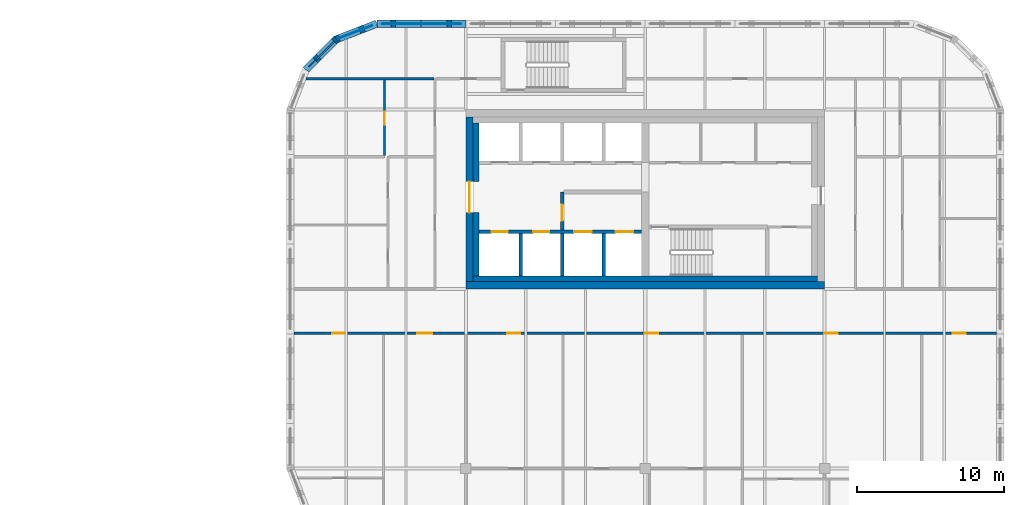
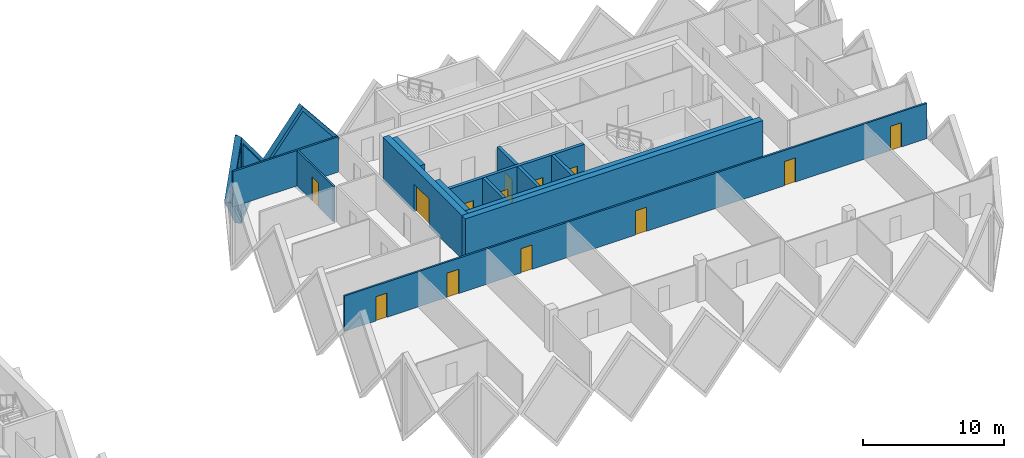
# One storey, part 13 of 19: 16 walls, 13 doors, 3 plates, 16 openings.
"""IFC4 building model written with IfcOpenShell, lengths in metres."""

import ifcopenshell
import ifcopenshell.guid

model = None  # the IFC model being written
_history = None  # IfcOwnerHistory: only IFC2X3 demands one
_inside = {}  # id of a spatial element -> (the spatial element, [elements in it])
_under = {}  # id of a project, library or spatial element -> (it, [spatial elements below it])
_declared = {}  # id of a project -> (the project, [libraries it declares])
_typed = {}  # id of a type object -> (the type object, [elements of that type])
_made_of = {}  # id of a material, layer set ... -> (it, [elements and type objects made of it])


def new_model(schema):
    """Start an empty IFC model of exactly this schema.

    Asked for "IFC4X3", IfcOpenShell would pick the latest addendum, in which some entities
    have other attributes; the version numbers below select the first issue.
    IFC2X3 requires an IfcOwnerHistory on every rooted entity: one is made here for all.
    """
    global model, _history
    if schema == "IFC4X3":
        model = ifcopenshell.file(schema_version=(4, 3, 0, 0))
    else:
        model = ifcopenshell.file(schema=schema)
    _inside.clear()
    _under.clear()
    _declared.clear()
    _typed.clear()
    _made_of.clear()
    _history = None
    if model.schema == "IFC2X3":
        org = make("IfcOrganization", Name="unknown")
        user = make(
            "IfcPersonAndOrganization",
            ThePerson=make("IfcPerson", FamilyName="unknown"),
            TheOrganization=org,
        )
        app = make(
            "IfcApplication",
            ApplicationDeveloper=org,
            Version="unknown",
            ApplicationFullName="unknown",
            ApplicationIdentifier="unknown",
        )
        _history = make(
            "IfcOwnerHistory",
            OwningUser=user,
            OwningApplication=app,
            ChangeAction="ADDED",
            CreationDate=0,
        )
    return model


def make(cls, **values):
    """One entity of the class cls with the attributes given. An attribute that is None is left unset."""
    return model.create_entity(
        cls, **{name: value for name, value in values.items() if value is not None}
    )


def rooted(cls, **values):
    """An entity with a GlobalId (a new one), such as an element, a storey or a relation."""
    return make(cls, GlobalId=ifcopenshell.guid.new(), OwnerHistory=_history, **values)


def si_unit(unit_type, name, prefix=None):
    """IfcSIUnit, for example si_unit("LENGTHUNIT", "METRE", prefix="MILLI")."""
    return make("IfcSIUnit", UnitType=unit_type, Prefix=prefix, Name=name)


def assignment(units):
    """IfcUnitAssignment: the units of a project."""
    return None if units is None else make("IfcUnitAssignment", Units=units)


def point(xyz):
    """IfcCartesianPoint."""
    return None if xyz is None else make("IfcCartesianPoint", Coordinates=xyz)


def direction(xyz):
    """IfcDirection."""
    return None if xyz is None else make("IfcDirection", DirectionRatios=xyz)


def frame(location, z_axis=None, x_axis=None):
    """IfcAxis2Placement3D, a coordinate frame: its origin and axes. An axis left out is left unset."""
    return make(
        "IfcAxis2Placement3D",
        Location=point(location),
        Axis=direction(z_axis),
        RefDirection=direction(x_axis),
    )


def frame_2d(location, x_axis=None):
    """IfcAxis2Placement2D, a coordinate frame in the plane: its origin and x axis."""
    return make(
        "IfcAxis2Placement2D", Location=point(location), RefDirection=direction(x_axis)
    )


def origin():
    """The frame at (0, 0, 0) with its axes left unset."""
    return frame((0.0, 0.0, 0.0))


def place(relative_to, where):
    """IfcLocalPlacement: puts the frame where relative to a parent placement (None: the world)."""
    return make(
        "IfcLocalPlacement", PlacementRelTo=relative_to, RelativePlacement=where
    )


def context(
    kind, dimensions, precision=None, world=None, true_north=None, identifier=None
):
    """IfcGeometricRepresentationContext, for example the 3D "Model" context."""
    return make(
        "IfcGeometricRepresentationContext",
        ContextIdentifier=identifier,
        ContextType=kind,
        CoordinateSpaceDimension=dimensions,
        Precision=precision,
        WorldCoordinateSystem=world,
        TrueNorth=true_north,
    )


def subcontext(parent, identifier, kind, view, scale=None):
    """IfcGeometricRepresentationSubContext, for example "Body" below "Model"."""
    return make(
        "IfcGeometricRepresentationSubContext",
        ContextIdentifier=identifier,
        ContextType=kind,
        ParentContext=parent,
        TargetScale=scale,
        TargetView=view,
    )


def project(units=None, contexts=None):
    """IfcProject with its units and contexts."""
    return rooted(
        "IfcProject",
        Name="project",
        RepresentationContexts=contexts,
        UnitsInContext=assignment(units),
    )


def spatial(cls, under=None, at=None, **own):
    """A site, building, storey or space (cls), placed at a placement, below another one or the project."""
    s = rooted(cls, ObjectPlacement=at, **own)
    if under is not None:
        _under.setdefault(under.id(), (under, []))[1].append(s)
    return s


def polyline(points):
    """IfcPolyline through the points."""
    return make("IfcPolyline", Points=[point(p) for p in points])


def profile(cls, at=None, kind="AREA", **sizes):
    """A parametric profile (cls). Its sizes go by their IFC names, for example OverallWidth=200.0."""
    return make(cls, ProfileType=kind, Position=at, **sizes)


def rectangle(**sizes):
    """IfcRectangleProfileDef."""
    return profile("IfcRectangleProfileDef", **sizes)


def outline(outer, holes=None, kind="AREA"):
    """IfcArbitraryClosedProfileDef: a profile drawn as a closed curve; with holes, ...WithVoids."""
    if holes is None:
        return make("IfcArbitraryClosedProfileDef", ProfileType=kind, OuterCurve=outer)
    return make(
        "IfcArbitraryProfileDefWithVoids",
        ProfileType=kind,
        OuterCurve=outer,
        InnerCurves=holes,
    )


def extrude(swept, where, along, depth):
    """IfcExtrudedAreaSolid: the profile swept, set in the frame where, extruded along a direction by depth."""
    return make(
        "IfcExtrudedAreaSolid",
        SweptArea=swept,
        Position=where,
        ExtrudedDirection=direction(along),
        Depth=depth,
    )


def faces_of(points, faces, orient=None, outer=None):
    """IfcFace entities. A face is a list of loops; a loop is a list of indices into points, from 0.

    orient and outer hold one flag for each loop. By default every Orientation is true, the
    first loop of a face is its IfcFaceOuterBound and the others are IfcFaceBound.
    """
    made = []
    for i, loops in enumerate(faces):
        bounds = []
        for j, loop in enumerate(loops):
            is_outer = j == 0 if outer is None else outer[i][j]
            bounds.append(
                make(
                    "IfcFaceOuterBound" if is_outer else "IfcFaceBound",
                    Bound=make("IfcPolyLoop", Polygon=[points[k] for k in loop]),
                    Orientation=True if orient is None else orient[i][j],
                )
            )
        made.append(make("IfcFace", Bounds=bounds))
    return made


def faceted_brep(points, faces, orient=None, outer=None, voids=None):
    """IfcFacetedBrep: a solid bounded by flat faces; with voids (closed shells), ...WithVoids."""
    shared = [point(p) for p in points]
    hull = make("IfcClosedShell", CfsFaces=faces_of(shared, faces, orient, outer))
    if voids is None:
        return make("IfcFacetedBrep", Outer=hull)
    return make(
        "IfcFacetedBrepWithVoids",
        Outer=hull,
        Voids=[
            make(cls, CfsFaces=faces_of(shared, fs, o, b)) for cls, fs, o, b in voids
        ],
    )


def shape(context_of_items, identifier, shape_type, items):
    """IfcShapeRepresentation: the items that make up one representation, for example the "Body"."""
    return make(
        "IfcShapeRepresentation",
        ContextOfItems=context_of_items,
        RepresentationIdentifier=identifier,
        RepresentationType=shape_type,
        Items=items,
    )


def source(mapping_origin, context_of_items, identifier, shape_type, items):
    """IfcRepresentationMap: a shape defined once, which mapped items show again and again."""
    return make(
        "IfcRepresentationMap",
        MappingOrigin=mapping_origin,
        MappedRepresentation=shape(context_of_items, identifier, shape_type, items),
    )


def transform(
    local_origin,
    x_axis=None,
    y_axis=None,
    z_axis=None,
    scale=None,
    scale2=None,
    scale3=None,
    uniform=True,
):
    """IfcCartesianTransformationOperator3D, or its non-uniform kind. x_axis, y_axis, z_axis: its Axis1, 2, 3."""
    if uniform:
        return make(
            "IfcCartesianTransformationOperator3D",
            Axis1=direction(x_axis),
            Axis2=direction(y_axis),
            LocalOrigin=point(local_origin),
            Scale=scale,
            Axis3=direction(z_axis),
        )
    return make(
        "IfcCartesianTransformationOperator3DnonUniform",
        Axis1=direction(x_axis),
        Axis2=direction(y_axis),
        LocalOrigin=point(local_origin),
        Scale=scale,
        Axis3=direction(z_axis),
        Scale2=scale2,
        Scale3=scale3,
    )


def mapped(mapping_source, mapping_target):
    """IfcMappedItem: shows the shape of a source again, moved by a transform."""
    return make(
        "IfcMappedItem", MappingSource=mapping_source, MappingTarget=mapping_target
    )


def material(Name=None, Category=None):
    """IfcMaterial."""
    return make("IfcMaterial", Name=Name, Category=Category)


def layer(
    of_material, thickness, ventilated=None, Name=None, Category=None, Priority=None
):
    """IfcMaterialLayer: one layer of a wall or slab, of a material (None: an air gap)."""
    return make(
        "IfcMaterialLayer",
        Material=of_material,
        LayerThickness=thickness,
        IsVentilated=ventilated,
        Name=Name,
        Category=Category,
        Priority=Priority,
    )


def layer_set(layers, Name=None):
    """IfcMaterialLayerSet."""
    return make("IfcMaterialLayerSet", MaterialLayers=layers, LayerSetName=Name)


def made_of(thing, what):
    """Note that an element or type object is made of a material, layer set ...; save() writes the relation."""
    if what is not None:
        _made_of.setdefault(what.id(), (what, []))[1].append(thing)
    return thing


def type_object(cls, material=None, **own):
    """A type object (cls), such as IfcWallType, which elements share."""
    return made_of(rooted(cls, **own), material)


def element(
    cls,
    number,
    at=None,
    inside=None,
    cuts=None,
    type_object=None,
    material=None,
    context=None,
    identifier="Body",
    shape_type=None,
    held_by="IfcProductDefinitionShape",
    body=None,
    shapes=None,
    **own,
):
    """One element of the class cls, such as IfcWall. Its Tag is "e" and its number.

    at: its placement. inside: the storey or other place that contains it. cuts: it is an
    opening in that element (IfcRelVoidsElement). A single representation is given by context,
    identifier, shape_type and body (its items); several are given by shapes. held_by: the class
    of the entity that holds the representations. save() writes the other relations.
    """
    e = rooted(cls, Tag="e%d" % number, ObjectPlacement=at, **own)
    if body is not None:
        shapes = [shape(context, identifier, shape_type, body)]
    if shapes is not None:
        e.Representation = make(held_by, Representations=shapes)
    if inside is not None:
        _inside.setdefault(inside.id(), (inside, []))[1].append(e)
    if cuts is not None:
        rooted(
            "IfcRelVoidsElement", RelatingBuildingElement=cuts, RelatedOpeningElement=e
        )
    if type_object is not None:
        _typed.setdefault(type_object.id(), (type_object, []))[1].append(e)
    return made_of(e, material)


def fill(opening, filler):
    """IfcRelFillsElement: the door or window that sits in an opening."""
    return rooted(
        "IfcRelFillsElement",
        RelatingOpeningElement=opening,
        RelatedBuildingElement=filler,
    )


def aggregate(whole, parts):
    """IfcRelAggregates: a whole, such as a stair, and the parts it consists of."""
    return rooted("IfcRelAggregates", RelatingObject=whole, RelatedObjects=parts)


def save(model, path):
    """Write the relations noted so far, then the file.

    IfcRelAggregates (storeys below a building ...), IfcRelContainedInSpatialStructure (elements
    in a storey), IfcRelDefinesByType, IfcRelAssociatesMaterial and IfcRelDeclares: one each for
    every whole, place, type object, material and project.
    """
    for whole, parts in _under.values():
        aggregate(whole, parts)
    for where, things in _inside.values():
        rooted(
            "IfcRelContainedInSpatialStructure",
            RelatedElements=things,
            RelatingStructure=where,
        )
    for kind, things in _typed.values():
        rooted("IfcRelDefinesByType", RelatedObjects=things, RelatingType=kind)
    for what, things in _made_of.values():
        rooted("IfcRelAssociatesMaterial", RelatedObjects=things, RelatingMaterial=what)
    for by, libraries in _declared.values():
        rooted("IfcRelDeclares", RelatingContext=by, RelatedDefinitions=libraries)
    model.write(path)


model = new_model("IFC4")

# Units and contexts
model_context = context("Model", 3, precision=1e-05, world=origin(), true_north=direction((0.0, 1.0)))
body_context = subcontext(model_context, "Body", "Model", "MODEL_VIEW")
ifc_project = project(units=[si_unit("LENGTHUNIT", "METRE"), si_unit("AREAUNIT", "SQUARE_METRE"), si_unit("VOLUMEUNIT", "CUBIC_METRE"), si_unit("PLANEANGLEUNIT", "RADIAN"), si_unit("MASSUNIT", "GRAM", prefix="KILO")], contexts=[model_context])

# Site, building, storey
site_placement = place(None, origin())
site = spatial("IfcSite", under=ifc_project, at=site_placement, CompositionType="ELEMENT")
building_placement = place(site_placement, origin())
building = spatial("IfcBuilding", under=site, at=building_placement, Name="Tessera Gate Towers", CompositionType="ELEMENT")
storey_placement = place(building_placement, frame((0.0, 0.0, 87.60009765625)))
storey = spatial("IfcBuildingStorey", under=building, at=storey_placement, Name="L21", CompositionType="ELEMENT", Elevation=87.60009765625)

# Wall, openings, doors
ifc_material_1 = material(Name="Concrete C40/50", Category="concrete")
ifc_layer_1 = layer(ifc_material_1, 0.25)
ifc_layer_set_1 = layer_set([ifc_layer_1], Name="CORE ENCLOSURE WALL 250")
wall_type_1 = type_object("IfcWallType", Name="CORE ENCLOSURE WALL 250", PredefinedType="SOLIDWALL", material=ifc_layer_set_1)
wall_1_placement = place(storey_placement, frame((98.5, 40.5, 0.0), z_axis=(0.0, 0.0, 1.0), x_axis=(1.0, 0.0, 0.0)))
wall_1 = element("IfcWall", 1, at=wall_1_placement, inside=storey, type_object=wall_type_1, Name="L21 shaft and stair enclosure wall", PredefinedType="SOLIDWALL", context=body_context, shape_type="SweptSolid", body=[
    extrude(rectangle(XDim=11.050048828125, YDim=0.25, at=frame_2d((5.52490234375, 0.0))), origin(), (0.0, 0.0, 1.0), 3.7998046875),
])
shared_shape_1 = source(origin(), body_context, "Body", "SweptSolid", [
    extrude(rectangle(XDim=1.10009765625, YDim=2.10009765625, at=frame_2d((0.550048828125, 1.050048828125))), frame((0.0, 0.135009765625, 0.0), z_axis=(0.0, -1.0, 0.0), x_axis=(1.0, 0.0, 0.0)), (0.0, 0.0, 1.0), 0.27001953125),
])
opening_1_placement = place(wall_1_placement, frame((0.862548828125, 0.0, 0.0)))
opening_1 = element("IfcOpeningElement", 2, at=opening_1_placement, cuts=wall_1, Name="Opening LD-TL1", PredefinedType="OPENING", context=body_context, shape_type="MappedRepresentation", body=[
    mapped(shared_shape_1, transform((0.0, 0.0, 0.0), scale=1.0)),
])
opening_2_placement = place(wall_1_placement, frame((3.6875, 0.0, 0.0)))
opening_2 = element("IfcOpeningElement", 3, at=opening_2_placement, cuts=wall_1, Name="Opening LD-TL2", PredefinedType="OPENING", context=body_context, shape_type="MappedRepresentation", body=[
    mapped(shared_shape_1, transform((0.0, 0.0, 0.0), scale=1.0)),
])
shared_shape_2 = source(origin(), body_context, "Body", "SweptSolid", [
    extrude(rectangle(XDim=1.199951171875, YDim=2.10009765625, at=frame_2d((0.60009765625, 1.050048828125))), frame((0.0, 0.135009765625, 0.0), z_axis=(0.0, -1.0, 0.0), x_axis=(1.0, 0.0, 0.0)), (0.0, 0.0, 1.0), 0.27001953125),
])
opening_3_placement = place(wall_1_placement, frame((6.46240234375, 0.0, 0.0)))
opening_3 = element("IfcOpeningElement", 4, at=opening_3_placement, cuts=wall_1, Name="Opening LD-FF3", PredefinedType="OPENING", context=body_context, shape_type="MappedRepresentation", body=[
    mapped(shared_shape_2, transform((0.0, 0.0, 0.0), scale=1.0)),
])
opening_4_placement = place(wall_1_placement, frame((9.28759765625, 0.0, 0.0)))
opening_4 = element("IfcOpeningElement", 5, at=opening_4_placement, cuts=wall_1, Name="Opening LD-FF4", PredefinedType="OPENING", context=body_context, shape_type="MappedRepresentation", body=[
    mapped(shared_shape_2, transform((0.0, 0.0, 0.0), scale=1.0)),
])
ifc_material_2 = material(Name="Stainless steel", Category="steel")
door_type_1 = type_object("IfcDoorType", Name="CORE DOOR LD1200 1200x2100", OperationType="DOUBLE_DOOR_SLIDING", PredefinedType="DOOR", material=ifc_material_2)
shared_shape_3 = source(origin(), body_context, "Body", "SweptSolid", [
    extrude(rectangle(XDim=1.199951171875, YDim=2.10009765625, at=frame_2d((0.60009765625, 1.050048828125))), frame((0.0, 0.02490234375, 0.0), z_axis=(0.0, -1.0, 0.0), x_axis=(1.0, 0.0, 0.0)), (0.0, 0.0, 1.0), 0.050048828125),
])
door_1_placement = place(opening_3_placement, origin())
door_1 = element("IfcDoor", 6, at=door_1_placement, inside=storey, type_object=door_type_1, Name="Landing door FF3 L21", OperationType="DOUBLE_DOOR_SLIDING", OverallHeight=2.10009765625, OverallWidth=1.199951171875, PredefinedType="DOOR", context=body_context, shape_type="MappedRepresentation", body=[
    mapped(shared_shape_3, transform((0.0, 0.0, 0.0), scale=1.0)),
])
fill(opening_3, door_1)
door_2_placement = place(opening_4_placement, origin())
door_2 = element("IfcDoor", 7, at=door_2_placement, inside=storey, type_object=door_type_1, Name="Landing door FF4 L21", OperationType="DOUBLE_DOOR_SLIDING", OverallHeight=2.10009765625, OverallWidth=1.199951171875, PredefinedType="DOOR", context=body_context, shape_type="MappedRepresentation", body=[
    mapped(shared_shape_3, transform((0.0, 0.0, 0.0), scale=1.0)),
])
fill(opening_4, door_2)
ifc_material_3 = material(Name="Stainless steel", Category="steel")
door_type_2 = type_object("IfcDoorType", Name="CORE DOOR LD 1100x2100", OperationType="DOUBLE_DOOR_SLIDING", PredefinedType="DOOR", material=ifc_material_3)
shared_shape_4 = source(origin(), body_context, "Body", "SweptSolid", [
    extrude(rectangle(XDim=1.10009765625, YDim=2.10009765625, at=frame_2d((0.550048828125, 1.050048828125))), frame((0.0, 0.02490234375, 0.0), z_axis=(0.0, -1.0, 0.0), x_axis=(1.0, 0.0, 0.0)), (0.0, 0.0, 1.0), 0.050048828125),
])
door_3_placement = place(opening_1_placement, origin())
door_3 = element("IfcDoor", 8, at=door_3_placement, inside=storey, type_object=door_type_2, Name="Landing door TL1 L21", OperationType="DOUBLE_DOOR_SLIDING", OverallHeight=2.10009765625, OverallWidth=1.10009765625, PredefinedType="DOOR", context=body_context, shape_type="MappedRepresentation", body=[
    mapped(shared_shape_4, transform((0.0, 0.0, 0.0), scale=1.0)),
])
fill(opening_1, door_3)
door_4_placement = place(opening_2_placement, origin())
door_4 = element("IfcDoor", 9, at=door_4_placement, inside=storey, type_object=door_type_2, Name="Landing door TL2 L21", OperationType="DOUBLE_DOOR_SLIDING", OverallHeight=2.10009765625, OverallWidth=1.10009765625, PredefinedType="DOOR", context=body_context, shape_type="MappedRepresentation", body=[
    mapped(shared_shape_4, transform((0.0, 0.0, 0.0), scale=1.0)),
])
fill(opening_2, door_4)

# Wall
wall_2_placement = place(storey_placement, frame((104.14990234375, 37.5, 0.0), z_axis=(0.0, 0.0, 1.0), x_axis=(0.0, 1.0, 0.0)))
element("IfcWall", 10, at=wall_2_placement, inside=storey, type_object=wall_type_1, Name="L21 shaft and stair enclosure wall", PredefinedType="SOLIDWALL", context=body_context, shape_type="SweptSolid", body=[
    extrude(rectangle(XDim=2.875, YDim=0.25, at=frame_2d((1.4375, 0.0))), origin(), (0.0, 0.0, 1.0), 3.7998046875),
])

# Wall, opening, door
wall_3_placement = place(storey_placement, frame((104.14990234375, 43.199951171875, 0.0), z_axis=(0.0, 0.0, 1.0), x_axis=(0.0, -1.0, 0.0)))
wall_3 = element("IfcWall", 11, at=wall_3_placement, inside=storey, type_object=wall_type_1, Name="L21 shaft and stair enclosure wall", PredefinedType="SOLIDWALL", context=body_context, shape_type="SweptSolid", body=[
    extrude(rectangle(XDim=2.574951171875, YDim=0.25, at=frame_2d((1.28759765625, 0.0))), origin(), (0.0, 0.0, 1.0), 3.7998046875),
])
opening_5_placement = place(wall_3_placement, frame((0.85009765625, 0.0, 0.0)))
opening_5 = element("IfcOpeningElement", 12, at=opening_5_placement, cuts=wall_3, Name="Opening FD-T2-11-03", PredefinedType="OPENING", context=body_context, shape_type="MappedRepresentation", body=[
    mapped(shared_shape_1, transform((0.0, 0.0, 0.0), scale=1.0)),
])
ifc_material_4 = material(Name="Hollow steel fire door", Category="steel")
door_type_3 = type_object("IfcDoorType", Name="CORE DOOR FD 1100x2100", OperationType="NOTDEFINED", PredefinedType="DOOR", material=ifc_material_4)
door_5_placement = place(opening_5_placement, origin())
door_5 = element("IfcDoor", 13, at=door_5_placement, inside=storey, type_object=door_type_3, Name="Fire-fighting lobby door", OperationType="SINGLE_SWING_RIGHT", OverallHeight=2.10009765625, OverallWidth=1.10009765625, PredefinedType="DOOR", context=body_context, shape_type="MappedRepresentation", body=[
    mapped(shared_shape_4, transform((0.0, 0.0, 0.0), scale=1.0)),
])
fill(opening_5, door_5)

# Walls
for number, where, z_axis, x_axis, name in (
    (14, (101.324951171875, 37.5, 0.0), (0.0, 0.0, 1.0), (0.0, 1.0, 0.0), "L21 shaft and stair enclosure wall"),
    (15, (106.97509765625, 37.5, 0.0), (0.0, 0.0, 1.0), (0.0, 1.0, 0.0), "L21 shaft and stair enclosure wall"),
):
    element("IfcWall", number, at=place(storey_placement, frame(where, z_axis=z_axis, x_axis=x_axis)), inside=storey, type_object=wall_type_1, Name=name, PredefinedType="SOLIDWALL", context=body_context, shape_type="SweptSolid", body=[
        extrude(rectangle(XDim=2.875, YDim=0.25, at=frame_2d((1.4375, 0.0))), origin(), (0.0, 0.0, 1.0), 3.7998046875),
    ])
ifc_material_5 = material(Name="Concrete C50/60", Category="concrete")
ifc_layer_2 = layer(ifc_material_5, 0.5)
ifc_layer_set_2 = layer_set([ifc_layer_2], Name="CORE SHEAR WALL 500 C50/60")
wall_type_2 = type_object("IfcWallType", Name="CORE SHEAR WALL 500 C50/60", PredefinedType="SHEAR", material=ifc_layer_set_2)
wall_4_placement = place(storey_placement, frame((122.0, 36.85009765625, 0.0), z_axis=(0.0, 0.0, 1.0), x_axis=(-1.0, 0.0, 0.0)))
element("IfcWall", 16, at=wall_4_placement, inside=storey, type_object=wall_type_2, Name="Core wall S L21", PredefinedType="SHEAR", context=body_context, shape_type="SweptSolid", body=[
    extrude(rectangle(XDim=24.39990234375, YDim=0.5, at=frame_2d((12.199951171875, 0.0))), origin(), (0.0, 0.0, 1.0), 3.7998046875),
])

# Wall, opening, door
wall_5_placement = place(storey_placement, frame((97.85009765625, 37.10009765625, 0.0), z_axis=(0.0, 0.0, 1.0), x_axis=(0.0, 1.0, 0.0)))
wall_5 = element("IfcWall", 17, at=wall_5_placement, inside=storey, type_object=wall_type_2, Name="Core wall W L21", PredefinedType="SHEAR", context=body_context, shape_type="SweptSolid", body=[
    extrude(rectangle(XDim=11.199951171875, YDim=0.5, at=frame_2d((5.60009765625, 0.0))), origin(), (0.0, 0.0, 1.0), 3.7998046875),
])
shared_shape_5 = source(origin(), body_context, "Body", "SweptSolid", [
    extrude(rectangle(XDim=2.10009765625, YDim=2.39990234375, at=frame_2d((1.050048828125, 1.199951171875))), frame((0.0, 0.260009765625, 0.0), z_axis=(0.0, -1.0, 0.0), x_axis=(1.0, 0.0, 0.0)), (0.0, 0.0, 1.0), 0.52001953125),
])
opening_6_placement = place(wall_5_placement, frame((4.699951171875, 0.0, 0.0)))
opening_6 = element("IfcOpeningElement", 18, at=opening_6_placement, cuts=wall_5, Name="Opening DD-T2-11-01", PredefinedType="OPENING", context=body_context, shape_type="MappedRepresentation", body=[
    mapped(shared_shape_5, transform((0.0, 0.0, 0.0), scale=1.0)),
])
ifc_material_6 = material(Name="Hollow steel fire door", Category="steel")
door_type_4 = type_object("IfcDoorType", Name="CORE DOOR DD 2100x2400", OperationType="NOTDEFINED", PredefinedType="DOOR", material=ifc_material_6)
shared_shape_6 = source(origin(), body_context, "Body", "SweptSolid", [
    extrude(rectangle(XDim=2.10009765625, YDim=2.39990234375, at=frame_2d((1.050048828125, 1.199951171875))), frame((0.0, 0.02490234375, 0.0), z_axis=(0.0, -1.0, 0.0), x_axis=(1.0, 0.0, 0.0)), (0.0, 0.0, 1.0), 0.050048828125),
])
door_6_placement = place(opening_6_placement, origin())
door_6 = element("IfcDoor", 19, at=door_6_placement, inside=storey, type_object=door_type_4, Name="Core entrance door", OperationType="DOUBLE_DOOR_SINGLE_SWING", OverallHeight=2.39990234375, OverallWidth=2.10009765625, PredefinedType="DOOR", context=body_context, shape_type="MappedRepresentation", body=[
    mapped(shared_shape_6, transform((0.0, 0.0, 0.0), scale=1.0)),
])
fill(opening_6, door_6)

# Walls
ifc_material_7 = material(Name="Concrete C50/60", Category="concrete")
ifc_layer_3 = layer(ifc_material_7, 0.39990234375)
ifc_layer_set_3 = layer_set([ifc_layer_3], Name="CORE WALL THICKENING 400")
wall_type_3 = type_object("IfcWallType", Name="CORE WALL THICKENING 400", PredefinedType="SOLIDWALL", material=ifc_layer_set_3)
wall_6_placement = place(storey_placement, frame((98.10009765625, 37.300048828125, 0.0), z_axis=(0.0, 0.0, 1.0), x_axis=(1.0, 0.0, 0.0)))
element("IfcWall", 20, at=wall_6_placement, inside=storey, type_object=wall_type_3, Name="Core wall thickening S L21", PredefinedType="SOLIDWALL", context=body_context, shape_type="SweptSolid", body=[
    extrude(rectangle(XDim=23.39990234375, YDim=0.39990234375, at=frame_2d((11.699951171875, 0.0))), origin(), (0.0, 0.0, 1.0), 3.7998046875),
])
wall_7_placement = place(storey_placement, frame((98.300048828125, 37.5, 0.0), z_axis=(0.0, 0.0, 1.0), x_axis=(0.0, 1.0, 0.0)))
element("IfcWall", 21, at=wall_7_placement, inside=storey, type_object=wall_type_3, Name="Core wall thickening W L21", PredefinedType="SOLIDWALL", context=body_context, shape_type="SweptSolid", body=[
    extrude(rectangle(XDim=4.300048828125, YDim=0.39990234375, at=frame_2d((2.14990234375, 0.0))), origin(), (0.0, 0.0, 1.0), 3.7998046875),
])
wall_8_placement = place(storey_placement, frame((98.300048828125, 43.89990234375, 0.0), z_axis=(0.0, 0.0, 1.0), x_axis=(0.0, 1.0, 0.0)))
element("IfcWall", 22, at=wall_8_placement, inside=storey, type_object=wall_type_3, Name="Core wall thickening W L21", PredefinedType="SOLIDWALL", context=body_context, shape_type="SweptSolid", body=[
    extrude(rectangle(XDim=4.0, YDim=0.39990234375, at=frame_2d((2.0, 0.0))), origin(), (0.0, 0.0, 1.0), 3.7998046875),
])

# Wall, openings, doors
ifc_material_8 = material(Name="Gypsum board on steel studs, mineral wool", Category="steel")
ifc_layer_4 = layer(ifc_material_8, 0.14990234375)
ifc_layer_set_4 = layer_set([ifc_layer_4], Name="CORRIDOR WALL 150")
wall_type_4 = type_object("IfcWallType", Name="CORRIDOR WALL 150", PredefinedType="PARTITIONING", material=ifc_layer_set_4)
wall_9_placement = place(storey_placement, frame((133.699951171875, 33.60009765625, 0.0), z_axis=(0.0, 0.0, 1.0), x_axis=(-1.0, 0.0, 0.0)))
wall_9 = element("IfcWall", 23, at=wall_9_placement, inside=storey, type_object=wall_type_4, Name="T2-L21-PW-021", PredefinedType="PARTITIONING", context=body_context, shape_type="SweptSolid", body=[
    extrude(rectangle(XDim=47.800048828125, YDim=0.14990234375, at=frame_2d((23.89990234375, 0.0))), origin(), (0.0, 0.0, 1.0), 3.06689453125),
])
shared_shape_7 = source(origin(), body_context, "Body", "SweptSolid", [
    extrude(rectangle(XDim=0.89990234375, YDim=2.10009765625, at=frame_2d((0.449951171875, 1.050048828125))), frame((0.0, 0.0849609375, 0.0), z_axis=(0.0, -1.0, 0.0), x_axis=(1.0, 0.0, 0.0)), (0.0, 0.0, 1.0), 0.169921875),
])
opening_7_placement = place(wall_9_placement, frame((2.09912109375, 0.0, 0.0)))
opening_7 = element("IfcOpeningElement", 24, at=opening_7_placement, cuts=wall_9, Name="Opening D890FD60-B09-01", PredefinedType="OPENING", context=body_context, shape_type="MappedRepresentation", body=[
    mapped(shared_shape_7, transform((0.0, 0.0, 0.0), scale=1.0)),
])
shared_shape_8 = source(origin(), body_context, "Body", "SweptSolid", [
    extrude(rectangle(XDim=1.0, YDim=2.10009765625, at=frame_2d((0.5, 1.050048828125))), frame((0.0, 0.0849609375, 0.0), z_axis=(0.0, -1.0, 0.0), x_axis=(1.0, 0.0, 0.0)), (0.0, 0.0, 1.0), 0.169921875),
])
opening_8_placement = place(wall_9_placement, frame((38.39892578125, 0.0, 0.0)))
opening_8 = element("IfcOpeningElement", 25, at=opening_8_placement, cuts=wall_9, Name="Opening D2100FD60-B09-04", PredefinedType="OPENING", context=body_context, shape_type="MappedRepresentation", body=[
    mapped(shared_shape_8, transform((0.0, 0.0, 0.0), scale=1.0)),
])
opening_9_placement = place(wall_9_placement, frame((44.300048828125, 0.0, 0.0)))
opening_9 = element("IfcOpeningElement", 26, at=opening_9_placement, cuts=wall_9, Name="Opening D890FD60-B09-02", PredefinedType="OPENING", context=body_context, shape_type="MappedRepresentation", body=[
    mapped(shared_shape_7, transform((0.0, 0.0, 0.0), scale=1.0)),
])
opening_10_placement = place(wall_9_placement, frame((32.39990234375, 0.0, 0.0)))
opening_10 = element("IfcOpeningElement", 27, at=opening_10_placement, cuts=wall_9, Name="Opening D890FD60-B09-03", PredefinedType="OPENING", context=body_context, shape_type="MappedRepresentation", body=[
    mapped(shared_shape_7, transform((0.0, 0.0, 0.0), scale=1.0)),
])
opening_11_placement = place(wall_9_placement, frame((10.799072265625, 0.0, 0.0)))
opening_11 = element("IfcOpeningElement", 28, at=opening_11_placement, cuts=wall_9, Name="Opening D890FD60-B09-04", PredefinedType="OPENING", context=body_context, shape_type="MappedRepresentation", body=[
    mapped(shared_shape_7, transform((0.0, 0.0, 0.0), scale=1.0)),
])
opening_12_placement = place(wall_9_placement, frame((23.0, 0.0, 0.0)))
opening_12 = element("IfcOpeningElement", 29, at=opening_12_placement, cuts=wall_9, Name="Opening D890FD60-B09-05", PredefinedType="OPENING", context=body_context, shape_type="MappedRepresentation", body=[
    mapped(shared_shape_7, transform((0.0, 0.0, 0.0), scale=1.0)),
])
ifc_material_9 = material(Name="Timber door leaf in steel frame", Category="steel")
door_type_5 = type_object("IfcDoorType", Name="CORRIDOR DOOR 900 FD60", OperationType="NOTDEFINED", PredefinedType="DOOR", material=ifc_material_9)
shared_shape_9 = source(origin(), body_context, "Body", "SweptSolid", [
    extrude(rectangle(XDim=0.89990234375, YDim=2.10009765625, at=frame_2d((0.449951171875, 1.050048828125))), frame((0.0, 0.02490234375, 0.0), z_axis=(0.0, -1.0, 0.0), x_axis=(1.0, 0.0, 0.0)), (0.0, 0.0, 1.0), 0.050048828125),
])
door_7_placement = place(opening_7_placement, origin())
door_7 = element("IfcDoor", 30, at=door_7_placement, inside=storey, type_object=door_type_5, Name="T2-L21-PD-007", OperationType="SINGLE_SWING_RIGHT", OverallHeight=2.10009765625, OverallWidth=0.89990234375, PredefinedType="DOOR", context=body_context, shape_type="MappedRepresentation", body=[
    mapped(shared_shape_9, transform((0.0, 0.0, 0.0), scale=1.0)),
])
fill(opening_7, door_7)
door_8_placement = place(opening_9_placement, origin())
door_8 = element("IfcDoor", 31, at=door_8_placement, inside=storey, type_object=door_type_5, Name="T2-L21-PD-017", OperationType="SINGLE_SWING_RIGHT", OverallHeight=2.10009765625, OverallWidth=0.89990234375, PredefinedType="DOOR", context=body_context, shape_type="MappedRepresentation", body=[
    mapped(shared_shape_9, transform((0.0, 0.0, 0.0), scale=1.0)),
])
fill(opening_9, door_8)
door_9_placement = place(opening_10_placement, origin())
door_9 = element("IfcDoor", 32, at=door_9_placement, inside=storey, type_object=door_type_5, Name="T2-L21-PD-021", OperationType="SINGLE_SWING_RIGHT", OverallHeight=2.10009765625, OverallWidth=0.89990234375, PredefinedType="DOOR", context=body_context, shape_type="MappedRepresentation", body=[
    mapped(shared_shape_9, transform((0.0, 0.0, 0.0), scale=1.0)),
])
fill(opening_10, door_9)
door_10_placement = place(opening_11_placement, origin())
door_10 = element("IfcDoor", 33, at=door_10_placement, inside=storey, type_object=door_type_5, Name="T2-L21-PD-025", OperationType="SINGLE_SWING_RIGHT", OverallHeight=2.10009765625, OverallWidth=0.89990234375, PredefinedType="DOOR", context=body_context, shape_type="MappedRepresentation", body=[
    mapped(shared_shape_9, transform((0.0, 0.0, 0.0), scale=1.0)),
])
fill(opening_11, door_10)
door_11_placement = place(opening_12_placement, origin())
door_11 = element("IfcDoor", 34, at=door_11_placement, inside=storey, type_object=door_type_5, Name="T2-L21-PD-026", OperationType="SINGLE_SWING_RIGHT", OverallHeight=2.10009765625, OverallWidth=0.89990234375, PredefinedType="DOOR", context=body_context, shape_type="MappedRepresentation", body=[
    mapped(shared_shape_9, transform((0.0, 0.0, 0.0), scale=1.0)),
])
fill(opening_12, door_11)
ifc_material_10 = material(Name="Timber door leaf in steel frame", Category="steel")
door_type_6 = type_object("IfcDoorType", Name="TENANCY ENTRANCE DOOR 1000 FD60", OperationType="NOTDEFINED", PredefinedType="DOOR", material=ifc_material_10)
shared_shape_10 = source(origin(), body_context, "Body", "SweptSolid", [
    extrude(rectangle(XDim=1.0, YDim=2.10009765625, at=frame_2d((0.5, 1.050048828125))), frame((0.0, 0.02490234375, 0.0), z_axis=(0.0, -1.0, 0.0), x_axis=(1.0, 0.0, 0.0)), (0.0, 0.0, 1.0), 0.050048828125),
])
door_12_placement = place(opening_8_placement, origin())
door_12 = element("IfcDoor", 35, at=door_12_placement, inside=storey, type_object=door_type_6, Name="T2-L21-PD-014", OperationType="SINGLE_SWING_RIGHT", OverallHeight=2.10009765625, OverallWidth=1.0, PredefinedType="DOOR", context=body_context, shape_type="MappedRepresentation", body=[
    mapped(shared_shape_10, transform((0.0, 0.0, 0.0), scale=1.0)),
])
fill(opening_8, door_12)

# Wall, opening, door
ifc_material_11 = material(Name="Gypsum board on steel studs, mineral wool", Category="steel")
ifc_layer_5 = layer(ifc_material_11, 0.14990234375)
ifc_layer_set_5 = layer_set([ifc_layer_5], Name="TENANCY WALL 150")
wall_type_5 = type_object("IfcWallType", Name="TENANCY WALL 150", PredefinedType="PARTITIONING", material=ifc_layer_set_5)
wall_10_placement = place(storey_placement, frame((92.074951171875, 45.676025390625, 0.0), z_axis=(0.0, 0.0, 1.0), x_axis=(0.0, 1.0, 0.0)))
wall_10 = element("IfcWall", 36, at=wall_10_placement, inside=storey, type_object=wall_type_5, Name="T2-L21-PW-036", PredefinedType="PARTITIONING", context=body_context, shape_type="SweptSolid", body=[
    extrude(rectangle(XDim=5.14794921875, YDim=0.14990234375, at=frame_2d((2.573974609375, 0.0))), origin(), (0.0, 0.0, 1.0), 3.06689453125),
])
opening_13_placement = place(wall_10_placement, frame((2.10009765625, 0.0, 0.0)))
opening_13 = element("IfcOpeningElement", 37, at=opening_13_placement, cuts=wall_10, Name="Opening D190-B09-06", PredefinedType="OPENING", context=body_context, shape_type="MappedRepresentation", body=[
    mapped(shared_shape_7, transform((0.0, 0.0, 0.0), scale=1.0)),
])
ifc_material_12 = material(Name="Timber door leaf in steel frame", Category="steel")
door_type_7 = type_object("IfcDoorType", Name="INTERNAL DOOR 900 NOT RATED", OperationType="NOTDEFINED", PredefinedType="DOOR", material=ifc_material_12)
door_13_placement = place(opening_13_placement, origin())
door_13 = element("IfcDoor", 38, at=door_13_placement, inside=storey, type_object=door_type_7, Name="T2-L21-PD-008", OperationType="SINGLE_SWING_LEFT", OverallHeight=2.10009765625, OverallWidth=0.89990234375, PredefinedType="DOOR", context=body_context, shape_type="MappedRepresentation", body=[
    mapped(shared_shape_9, transform((0.0, 0.0, 0.0), scale=1.0)),
])
fill(opening_13, door_13)

# Wall
wall_11_placement = place(storey_placement, frame((86.74609375, 50.89990234375, 0.0), z_axis=(0.0, 0.0, 1.0), x_axis=(1.0, 0.0, 0.0)))
element("IfcWall", 39, at=wall_11_placement, inside=storey, type_object=wall_type_5, Name="T2-L21-PW-038", PredefinedType="PARTITIONING", context=body_context, shape_type="SweptSolid", body=[
    extrude(rectangle(XDim=8.677978515625, YDim=0.14990234375, at=frame_2d((4.3388671875, 0.0))), origin(), (0.0, 0.0, 1.0), 3.06689453125),
])

# Wall, opening, plate
ifc_material_13 = material(Name="Precast concrete C60/75 white", Category="concrete")
ifc_layer_6 = layer(ifc_material_13, 0.5)
ifc_layer_set_6 = layer_set([ifc_layer_6], Name="TS1 tessera")
wall_type_6 = type_object("IfcWallType", Name="TS1 tessera", PredefinedType="SOLIDWALL", material=ifc_layer_set_6)
shared_shape_11 = source(origin(), body_context, "Body", "Brep", [
    faceted_brep([(3.050048828125, -0.25, 0.0), (6.053466796875, -0.25, 3.800048828125), (3.050048828125, -0.25, 7.599853515625), (0.0, -0.25, 3.800048828125), (0.0, 0.25, 3.800048828125), (3.050048828125, 0.25, 7.599853515625), (6.0068359375, 0.25, 3.85888671875), (6.0068359375, 0.25, 3.7412109375), (3.050048828125, 0.25, 0.0), (6.053466796875, 0.0, 3.800048828125)], [[[0, 1, 2, 3]], [[4, 5, 6, 7, 8]], [[8, 7, 9, 1, 0]], [[6, 5, 2, 1, 9]], [[5, 4, 3, 2]], [[4, 8, 0, 3]], [[7, 6, 9]]]),
])
wall_12_placement = place(storey_placement, frame((97.60009765625, 54.64990234375, -3.800048828125), z_axis=(0.0, 0.0, 1.0), x_axis=(-1.0, 0.0, 0.0)))
wall_12 = element("IfcWall", 40, at=wall_12_placement, inside=storey, type_object=wall_type_6, Name="Precast tessera T2 TS1-0266", PredefinedType="SOLIDWALL", context=body_context, shape_type="MappedRepresentation", body=[
    mapped(shared_shape_11, transform((0.0, 0.0, 0.0), scale=1.0)),
])
shared_shape_12 = source(origin(), body_context, "Body", "SweptSolid", [
    extrude(outline(polyline([(3.048583984375, 0.401123046875), (5.73486328125, 3.800048828125), (3.048583984375, 7.19873046875), (0.320556640625, 3.800048828125), (3.048583984375, 0.401123046875)])), frame((0.0, 0.260009765625, 0.0), z_axis=(0.0, -1.0, 0.0), x_axis=(1.0, 0.0, 0.0)), (0.0, 0.0, 1.0), 0.52001953125),
])
opening_14_placement = place(wall_12_placement, origin())
opening_14 = element("IfcOpeningElement", 41, at=opening_14_placement, cuts=wall_12, Name="Opening T2-PL2-0498", PredefinedType="OPENING", context=body_context, shape_type="MappedRepresentation", body=[
    mapped(shared_shape_12, transform((0.0, 0.0, 0.0), scale=1.0)),
])
ifc_material_14 = material(Name="Low-e laminated glass", Category="glass")
ifc_layer_7 = layer(ifc_material_14, 0.06005859375)
ifc_layer_set_7 = layer_set([ifc_layer_7], Name="PL2 rhombic pane")
plate_type = type_object("IfcPlateType", Name="PL2 rhombic pane", PredefinedType="SHEET", material=ifc_layer_set_7)
shared_shape_13 = source(origin(), body_context, "Body", "SweptSolid", [
    extrude(outline(polyline([(3.048583984375, 0.401123046875), (5.73486328125, 3.800048828125), (3.048583984375, 7.19873046875), (0.320556640625, 3.800048828125), (3.048583984375, 0.401123046875)])), frame((0.0, 0.030029296875, 0.0), z_axis=(0.0, -1.0, 0.0), x_axis=(1.0, 0.0, 0.0)), (0.0, 0.0, 1.0), 0.06005859375),
])
plate_1_placement = place(opening_14_placement, origin())
plate_1 = element("IfcPlate", 42, at=plate_1_placement, inside=storey, type_object=plate_type, Name="Glass pane T2 PL2-0498", PredefinedType="SHEET", context=body_context, shape_type="MappedRepresentation", body=[
    mapped(shared_shape_13, transform((0.0, 0.0, 0.0), scale=1.0)),
])
fill(opening_14, plate_1)

ifc_material_15 = material(Name="Precast concrete C60/75 white", Category="concrete")
ifc_layer_8 = layer(ifc_material_15, 0.5)
ifc_layer_set_8 = layer_set([ifc_layer_8], Name="TS3 corner tessera")
wall_type_7 = type_object("IfcWallType", Name="TS3 corner tessera", PredefinedType="SOLIDWALL", material=ifc_layer_set_8)
shared_shape_14 = source(origin(), body_context, "Body", "Brep", [
    faceted_brep([(2.950439453125, -0.25, 0.0), (3.00341796875, -0.25, 0.068359375), (3.00341796875, -0.25, 7.531494140625), (2.950439453125, -0.25, 7.599853515625), (0.0, -0.25, 3.800048828125), (0.046630859375, 0.25, 3.860107421875), (2.897705078125, 0.25, 7.53173828125), (2.897705078125, 0.25, 0.068115234375), (0.046630859375, 0.25, 3.739990234375), (2.950439453125, 0.00048828125, 0.0), (2.950439453125, 0.00048828125, 7.599853515625), (0.0, 0.0, 3.800048828125)], [[[0, 1, 2, 3, 4]], [[5, 6, 7, 8]], [[1, 0, 9]], [[10, 3, 2]], [[6, 5, 11, 4, 3, 10]], [[8, 7, 9, 0, 4, 11]], [[8, 11, 5]], [[1, 9, 7, 6, 10, 2]]]),
])
wall_13_placement = place(storey_placement, frame((91.546630859375, 54.64990234375, -3.800048828125), z_axis=(0.0, 0.0, 1.0), x_axis=(-0.933007896601, -0.359855894603, 0.0)))
wall_13 = element("IfcWall", 43, at=wall_13_placement, inside=storey, type_object=wall_type_7, Name="Precast corner tessera T2 TS3-0313", PredefinedType="SOLIDWALL", context=body_context, shape_type="MappedRepresentation", body=[
    mapped(shared_shape_14, transform((0.0, 0.0, 0.0), scale=1.0)),
])
shared_shape_15 = source(origin(), body_context, "Body", "SweptSolid", [
    extrude(outline(polyline([(2.75048828125, 6.934814453125), (0.31640625, 3.800048828125), (2.75048828125, 0.665283203125), (2.75048828125, 6.934814453125)])), frame((0.0, 0.260009765625, 0.0), z_axis=(0.0, -1.0, 0.0), x_axis=(1.0, 0.0, 0.0)), (0.0, 0.0, 1.0), 0.52001953125),
])
opening_15_placement = place(wall_13_placement, origin())
opening_15 = element("IfcOpeningElement", 44, at=opening_15_placement, cuts=wall_13, Name="Opening T2-PL2-0499", PredefinedType="OPENING", context=body_context, shape_type="MappedRepresentation", body=[
    mapped(shared_shape_15, transform((0.0, 0.0, 0.0), scale=1.0)),
])
shared_shape_16 = source(origin(), body_context, "Body", "SweptSolid", [
    extrude(outline(polyline([(2.75048828125, 6.934814453125), (0.31640625, 3.800048828125), (2.75048828125, 0.665283203125), (2.75048828125, 6.934814453125)])), frame((0.0, 0.030029296875, 0.0), z_axis=(0.0, -1.0, 0.0), x_axis=(1.0, 0.0, 0.0)), (0.0, 0.0, 1.0), 0.06005859375),
])
plate_2_placement = place(opening_15_placement, origin())
plate_2 = element("IfcPlate", 45, at=plate_2_placement, inside=storey, type_object=plate_type, Name="Glass pane T2 PL2-0499", PredefinedType="SHEET", context=body_context, shape_type="MappedRepresentation", body=[
    mapped(shared_shape_16, transform((0.0, 0.0, 0.0), scale=1.0)),
])
fill(opening_15, plate_2)

shared_shape_17 = source(origin(), body_context, "Body", "Brep", [
    faceted_brep([(0.052978515625, -0.25, 0.0), (2.9970703125, -0.25, 3.800048828125), (0.052978515625, -0.25, 7.599853515625), (0.0, -0.25, 7.53173828125), (0.0, -0.25, 0.068115234375), (0.10595703125, 0.25, 7.531494140625), (2.944091796875, 0.25, 3.8681640625), (2.944091796875, 0.25, 3.73193359375), (0.10595703125, 0.25, 0.068359375), (2.9970703125, 0.000244140625, 3.800048828125), (0.052978515625, 0.0, 0.0), (0.052978515625, 0.0, 7.599853515625)], [[[0, 1, 2, 3, 4]], [[5, 6, 7, 8]], [[8, 7, 9, 1, 0, 10]], [[6, 5, 11, 2, 1, 9]], [[3, 2, 11]], [[10, 0, 4]], [[8, 10, 4, 3, 11, 5]], [[7, 6, 9]]]),
])
wall_14_placement = place(storey_placement, frame((88.831298828125, 53.62548828125, -3.800048828125), z_axis=(0.0, 0.0, 1.0), x_axis=(-0.707147509625, -0.707066050402, 0.0)))
wall_14 = element("IfcWall", 46, at=wall_14_placement, inside=storey, type_object=wall_type_7, Name="Precast corner tessera T2 TS3-0314", PredefinedType="SOLIDWALL", context=body_context, shape_type="MappedRepresentation", body=[
    mapped(shared_shape_17, transform((0.0, 0.0, 0.0), scale=1.0)),
])
shared_shape_18 = source(origin(), body_context, "Body", "SweptSolid", [
    extrude(outline(polyline([(0.2529296875, 0.666259765625), (2.680908203125, 3.800048828125), (0.2529296875, 6.93359375), (0.2529296875, 0.666259765625)])), frame((0.0, 0.260009765625, 0.0), z_axis=(0.0, -1.0, 0.0), x_axis=(1.0, 0.0, 0.0)), (0.0, 0.0, 1.0), 0.52001953125),
])
opening_16_placement = place(wall_14_placement, origin())
opening_16 = element("IfcOpeningElement", 47, at=opening_16_placement, cuts=wall_14, Name="Opening T2-PL2-0500", PredefinedType="OPENING", context=body_context, shape_type="MappedRepresentation", body=[
    mapped(shared_shape_18, transform((0.0, 0.0, 0.0), scale=1.0)),
])
shared_shape_19 = source(origin(), body_context, "Body", "SweptSolid", [
    extrude(outline(polyline([(0.2529296875, 0.666259765625), (2.680908203125, 3.800048828125), (0.2529296875, 6.93359375), (0.2529296875, 0.666259765625)])), frame((0.0, 0.030029296875, 0.0), z_axis=(0.0, -1.0, 0.0), x_axis=(1.0, 0.0, 0.0)), (0.0, 0.0, 1.0), 0.06005859375),
])
plate_3_placement = place(opening_16_placement, origin())
plate_3 = element("IfcPlate", 48, at=plate_3_placement, inside=storey, type_object=plate_type, Name="Glass pane T2 PL2-0500", PredefinedType="SHEET", context=body_context, shape_type="MappedRepresentation", body=[
    mapped(shared_shape_19, transform((0.0, 0.0, 0.0), scale=1.0)),
])
fill(opening_16, plate_3)

save(model, "model.ifc")
